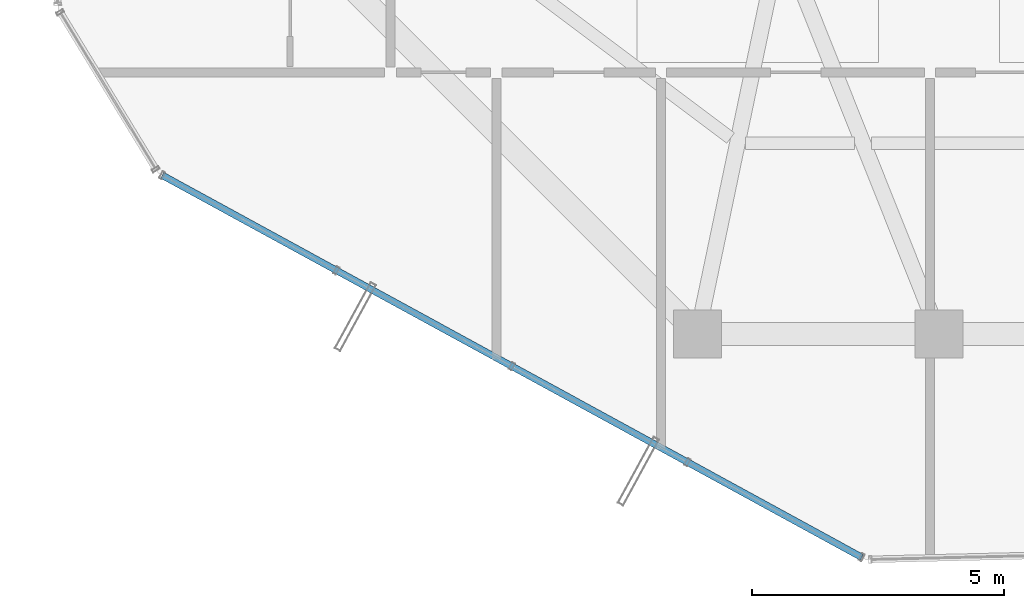
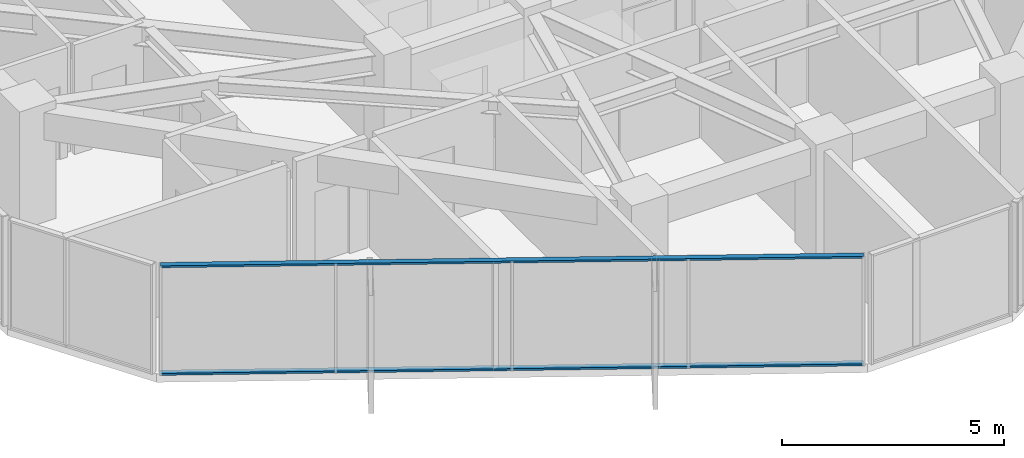
# One storey, part 3 of 32: 2 members, 1 element without a shape of its own.
"""IFC4 building model written with IfcOpenShell, lengths in metres."""

from ifc_helpers import new_model, si_unit, direction, frame, origin, origin_2d, place, context, subcontext, project, spatial, hollow_rectangle, extrude, source, transform, mapped, material, layer, layer_set, material_profile, profile_set, type_object, element, aggregate, save


model = new_model("IFC4")

# Units and contexts
model_context = context("Model", 3, precision=1e-05, world=origin(), true_north=direction((0.0, 1.0)))
body_context = subcontext(model_context, "Body", "Model", "MODEL_VIEW")
ifc_project = project(units=[si_unit("LENGTHUNIT", "METRE"), si_unit("AREAUNIT", "SQUARE_METRE"), si_unit("VOLUMEUNIT", "CUBIC_METRE"), si_unit("PLANEANGLEUNIT", "RADIAN"), si_unit("MASSUNIT", "GRAM", prefix="KILO")], contexts=[model_context])

# Site, building, storey
site_placement = place(None, origin())
site = spatial("IfcSite", under=ifc_project, at=site_placement, CompositionType="ELEMENT")
building_placement = place(site_placement, origin())
building = spatial("IfcBuilding", under=site, at=building_placement, Name="Veraguas Prism Commons", CompositionType="ELEMENT")
storey_placement = place(building_placement, frame((0.0, 0.0, 201.60009765625)))
storey = spatial("IfcBuildingStorey", under=building, at=storey_placement, Name="L57", CompositionType="ELEMENT", Elevation=201.60009765625)

# Curtain wall, members
ifc_material = material(Name="Anodised aluminium EN AW-6063 T6", Category="aluminium")
ifc_layer = layer(ifc_material, 0.14990234375, Name="Unitised Flush Curtain Wall Zone 3", Category="aluminium")
ifc_layer_set = layer_set([ifc_layer], Name="Anodised aluminium EN AW-6063 T6")
curtain_wall_type = type_object("IfcCurtainWallType", Name="Unitised Flush Curtain Wall Zone 3", PredefinedType="NOTDEFINED", material=ifc_layer_set)
curtain_wall_placement = place(storey_placement, origin())
curtain_wall = element("IfcCurtainWall", 1, at=curtain_wall_placement, inside=storey, type_object=curtain_wall_type, Name="Tower Facade Curtain Wall L57-F4", PredefinedType="NOTDEFINED")
ifc_material_profile = material_profile(ifc_material, hollow_rectangle(XDim=0.054931640625, YDim=0.135009765625, WallThickness=0.0029296875, at=origin_2d()), Name="AL55X135X3")
ifc_profile_set = profile_set([ifc_material_profile], Name="Anodised aluminium EN AW-6063 T6")
member_type = type_object("IfcMemberType", Name="Curtain Wall Transom Standard AL 55x135x3", PredefinedType="USERDEFINED", material=ifc_profile_set)
shared_shape = source(origin(), body_context, "Body", "SweptSolid", [
    extrude(hollow_rectangle(XDim=0.054931640625, YDim=0.135009765625, WallThickness=0.0029296875, at=origin_2d()), origin(), (0.0, 0.0, 1.0), 15.842529296875),
])
member_1_placement = place(storey_placement, frame((8.559326171875, 12.25341796875, 0.02734375), z_axis=(0.877643975882, -0.479313103929, 0.0), x_axis=(0.0, 0.0, 1.0)))
member_1 = element("IfcMember", 2, at=member_1_placement, type_object=member_type, Name="CW-Z3 Transom 1", ObjectType="TRANSOM", PredefinedType="USERDEFINED", context=body_context, shape_type="MappedRepresentation", body=[
    mapped(shared_shape, transform((0.0, 0.0, 0.0), scale=1.0)),
])
member_2_placement = place(storey_placement, frame((8.559326171875, 12.25341796875, 2.9873046875), z_axis=(0.877643975882, -0.479313103929, 0.0), x_axis=(0.0, 0.0, 1.0)))
member_2 = element("IfcMember", 3, at=member_2_placement, type_object=member_type, Name="CW-Z3 Transom 2", ObjectType="TRANSOM", PredefinedType="USERDEFINED", context=body_context, shape_type="MappedRepresentation", body=[
    mapped(shared_shape, transform((0.0, 0.0, 0.0), scale=1.0)),
])
aggregate(curtain_wall, [member_1, member_2])

save(model, "model.ifc")
